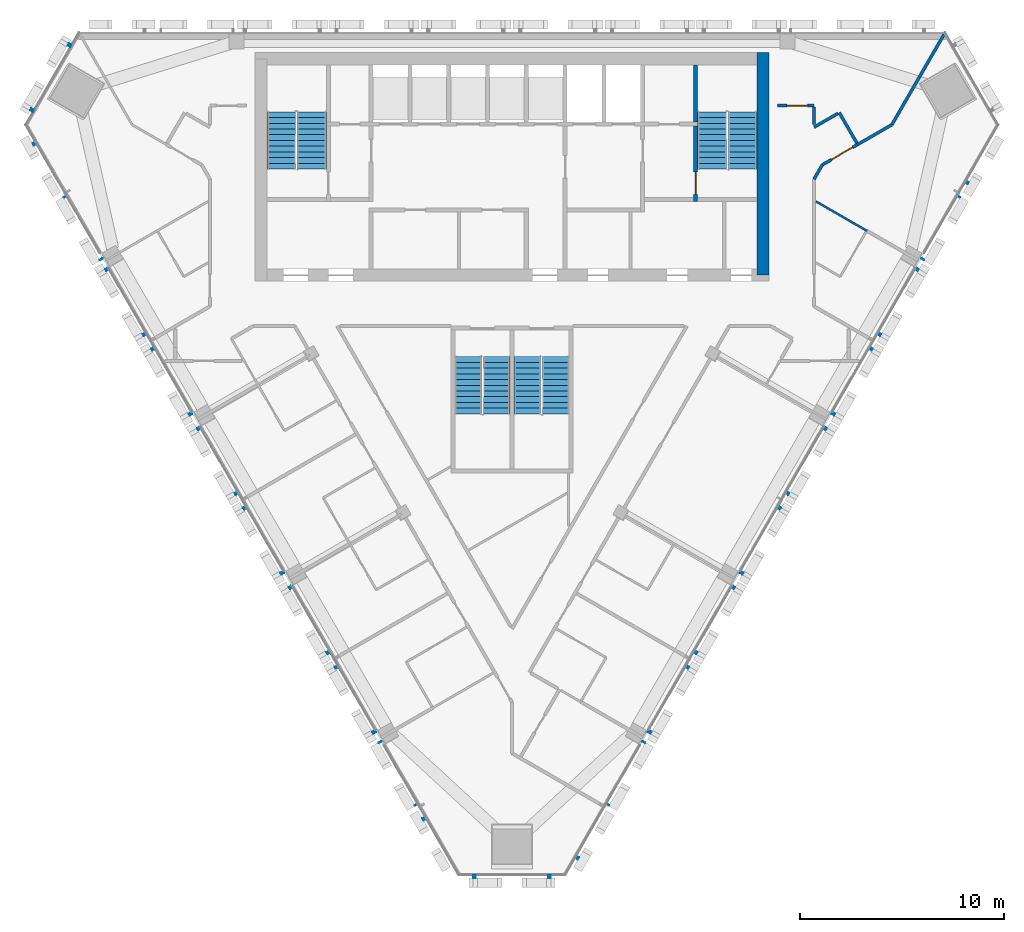
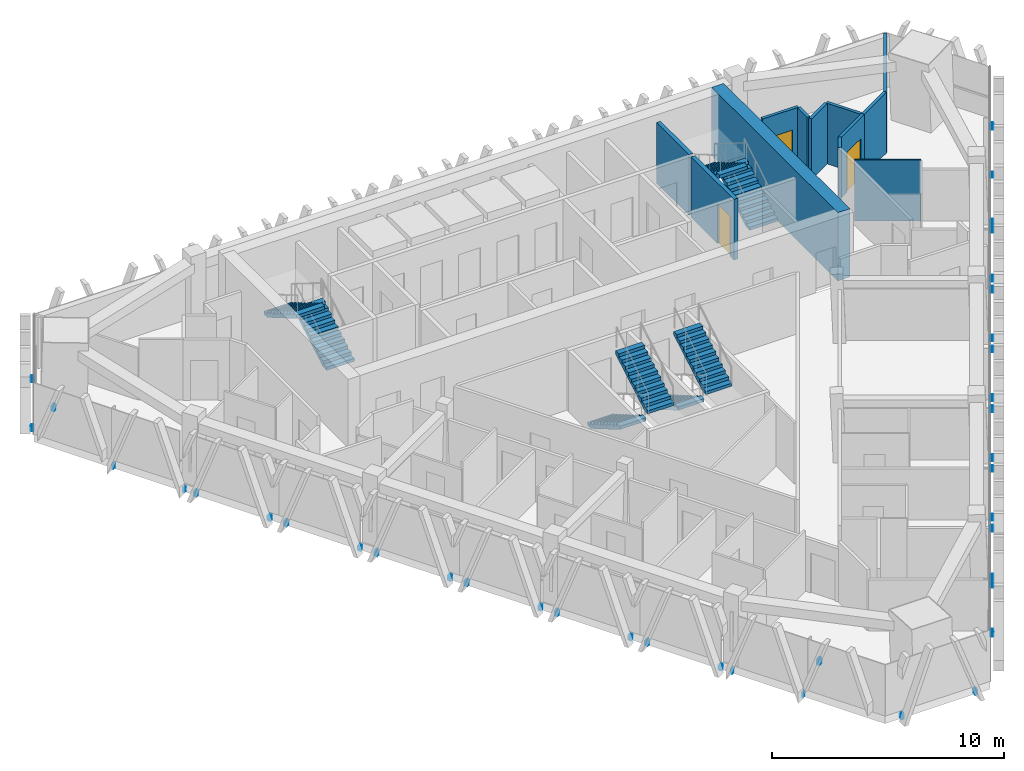
# One storey, part 11 of 15: 12 walls, 8 stair flights, 4 discrete accessories, 3 doors, 3 openings, 4 elements without a shape of their own.
"""IFC4 building model written with IfcOpenShell, lengths in metres."""

from ifc_helpers import new_model, si_unit, direction, frame, frame_2d, origin, place, context, subcontext, project, spatial, polyline, rectangle, outline, extrude, source, transform, mapped, material, layer, layer_set, type_object, element, fill, aggregate, save


model = new_model("IFC4")

# Units and contexts
model_context = context("Model", 3, precision=1e-05, world=origin(), true_north=direction((0.0, 1.0)))
body_context = subcontext(model_context, "Body", "Model", "MODEL_VIEW")
ifc_project = project(units=[si_unit("LENGTHUNIT", "METRE"), si_unit("AREAUNIT", "SQUARE_METRE"), si_unit("VOLUMEUNIT", "CUBIC_METRE"), si_unit("PLANEANGLEUNIT", "RADIAN"), si_unit("MASSUNIT", "GRAM", prefix="KILO")], contexts=[model_context])

# Site, building, storey
site_placement = place(None, origin())
site = spatial("IfcSite", under=ifc_project, at=site_placement, CompositionType="ELEMENT")
building_placement = place(site_placement, origin())
building = spatial("IfcBuilding", under=site, at=building_placement, Name="Altiplano Prism Tower", CompositionType="ELEMENT")
storey_placement = place(building_placement, frame((0.0, 0.0, 250.0)))
storey = spatial("IfcBuildingStorey", under=building, at=storey_placement, Name="L64", CompositionType="ELEMENT", Elevation=250.0)

# Walls
ifc_material_1 = material(Name="Concrete C60/75", Category="concrete")
ifc_layer_1 = layer(ifc_material_1, 0.60009765625)
ifc_layer_set_1 = layer_set([ifc_layer_1], Name="Concrete C60/75")
wall_type_1 = type_object("IfcWallType", Name="Core wall 600", PredefinedType="SHEAR", material=ifc_layer_set_1)
wall_1_placement = place(storey_placement, frame((97.300048828125, 93.10009765625, 0.0), z_axis=(0.0, 0.0, 1.0), x_axis=(0.0, 1.0, 0.0)))
element("IfcWall", 1, at=wall_1_placement, inside=storey, type_object=wall_type_1, Name="Core wall E L64", PredefinedType="SHEAR", context=body_context, shape_type="SweptSolid", body=[
    extrude(rectangle(XDim=10.89990234375, YDim=0.60009765625, at=frame_2d((5.449951171875, 0.0))), origin(), (0.0, 0.0, 1.0), 3.60009765625),
])
ifc_material_2 = material(Name="Plasterboard on steel stud", Category="steel")
ifc_layer_2 = layer(ifc_material_2, 0.10009765625)
ifc_layer_set_2 = layer_set([ifc_layer_2], Name="Plasterboard on steel stud")
wall_type_2 = type_object("IfcWallType", Name="Partition 100 wet", PredefinedType="PARTITIONING", material=ifc_layer_set_2)
wall_2_placement = place(storey_placement, frame((102.40087890625, 95.263427734375, 0.0), z_axis=(0.0, 0.0, 1.0), x_axis=(-0.866039173598, 0.499976149225, 0.0)))
element("IfcWall", 2, at=wall_2_placement, inside=storey, type_object=wall_type_2, Name="Partition P03 L64 076", PredefinedType="PARTITIONING", context=body_context, shape_type="SweptSolid", body=[
    extrude(rectangle(XDim=2.887939453125, YDim=0.10009765625, at=frame_2d((1.44384765625, 0.0))), origin(), (0.0, 0.0, 1.0), 3.199951171875),
])
ifc_layer_3 = layer(ifc_material_2, 0.14990234375)
ifc_layer_set_3 = layer_set([ifc_layer_3], Name="Plasterboard on steel stud")
wall_type_3 = type_object("IfcWallType", Name="Partition 150 corridor", PredefinedType="PARTITIONING", material=ifc_layer_set_3)
wall_3_placement = place(storey_placement, frame((99.800048828125, 97.798583984375, 0.0), z_axis=(0.0, 0.0, 1.0), x_axis=(0.499835541916, 0.866120332886, 0.0)))
element("IfcWall", 3, at=wall_3_placement, inside=storey, type_object=wall_type_3, Name="Partition P06 L64 027", PredefinedType="PARTITIONING", context=body_context, shape_type="SweptSolid", body=[
    extrude(rectangle(XDim=0.809814453125, YDim=0.14990234375, at=frame_2d((0.40478515625, 0.0))), origin(), (0.0, 0.0, 1.0), 3.199951171875),
])

# Wall, opening, door
wall_4_placement = place(storey_placement, frame((100.204833984375, 98.5, 0.0), z_axis=(0.0, 0.0, 1.0), x_axis=(0.866040685659, 0.499973530083, 0.0)))
wall_4 = element("IfcWall", 4, at=wall_4_placement, inside=storey, type_object=wall_type_3, Name="Partition P06 L64 028", PredefinedType="PARTITIONING", context=body_context, shape_type="SweptSolid", body=[
    extrude(rectangle(XDim=2.02001953125, YDim=0.14990234375, at=frame_2d((1.010009765625, 0.0))), origin(), (0.0, 0.0, 1.0), 3.199951171875),
])
opening_1_placement = place(wall_4_placement, frame((0.512939453125, 0.0, 0.0)))
opening_1 = element("IfcOpeningElement", 5, at=opening_1_placement, cuts=wall_4, Name="Opening D2108", PredefinedType="OPENING", context=body_context, shape_type="SweptSolid", body=[
    extrude(rectangle(XDim=1.199951171875, YDim=2.10009765625, at=frame_2d((0.60009765625, 1.050048828125))), frame((0.0, 0.08544921875, 0.0), z_axis=(0.0, -1.0, 0.0), x_axis=(1.0, 0.0, 0.0)), (0.0, 0.0, 1.0), 0.1708984375),
])
ifc_material_3 = material(Name="Timber", Category="wood")
door_type_1 = type_object("IfcDoorType", Name="Shared room door 1200 x 2100", OperationType="NOTDEFINED", PredefinedType="NOTDEFINED", material=ifc_material_3)
door_1_placement = place(opening_1_placement, origin())
door_1 = element("IfcDoor", 6, at=door_1_placement, inside=storey, type_object=door_type_1, Name="Door D2108", OperationType="SINGLE_SWING_LEFT", OverallHeight=2.10009765625, OverallWidth=1.199951171875, PredefinedType="NOTDEFINED", context=body_context, shape_type="SweptSolid", body=[
    extrude(rectangle(XDim=1.199951171875, YDim=2.10009765625, at=frame_2d((0.60009765625, 1.050048828125))), frame((0.0, 0.02490234375, 0.0), z_axis=(0.0, -1.0, 0.0), x_axis=(1.0, 0.0, 0.0)), (0.0, 0.0, 1.0), 0.050048828125),
])
fill(opening_1, door_1)

# Walls
wall_5_placement = place(storey_placement, frame((101.900390625, 99.5654296875, 0.0), z_axis=(0.0, 0.0, 1.0), x_axis=(-0.500110239729, 0.865961747491, 0.0)))
element("IfcWall", 7, at=wall_5_placement, inside=storey, type_object=wall_type_3, Name="Partition P06 L64 033", PredefinedType="PARTITIONING", context=body_context, shape_type="SweptSolid", body=[
    extrude(rectangle(XDim=1.7255859375, YDim=0.14990234375, at=frame_2d((0.86279296875, 0.0))), origin(), (0.0, 0.0, 1.0), 3.199951171875),
])
wall_6_placement = place(storey_placement, frame((100.972412109375, 101.022216796875, 0.0), z_axis=(0.0, 0.0, 1.0), x_axis=(-0.866191597034, -0.499712034304, 0.0)))
element("IfcWall", 8, at=wall_6_placement, inside=storey, type_object=wall_type_3, Name="Partition P06 L64 034", PredefinedType="PARTITIONING", context=body_context, shape_type="SweptSolid", body=[
    extrude(rectangle(XDim=1.352294921875, YDim=0.14990234375, at=frame_2d((0.67626953125, 0.0))), origin(), (0.0, 0.0, 1.0), 3.199951171875),
])
wall_7_placement = place(storey_placement, frame((99.801025390625, 100.476318359375, 0.0), z_axis=(0.0, 0.0, 1.0), x_axis=(-0.000574712549, 0.999999834853, 0.0)))
element("IfcWall", 9, at=wall_7_placement, inside=storey, type_object=wall_type_3, Name="Partition P06 L64 035", PredefinedType="PARTITIONING", context=body_context, shape_type="SweptSolid", body=[
    extrude(rectangle(XDim=0.849609375, YDim=0.14990234375, at=frame_2d((0.4248046875, 0.0))), origin(), (0.0, 0.0, 1.0), 3.199951171875),
])

# Wall, opening, door
wall_8_placement = place(storey_placement, frame((99.800537109375, 101.40087890625, 0.0), z_axis=(0.0, 0.0, 1.0), x_axis=(-1.0, 0.0, 0.0)))
wall_8 = element("IfcWall", 10, at=wall_8_placement, inside=storey, type_object=wall_type_3, Name="Partition P06 L64 036", PredefinedType="PARTITIONING", context=body_context, shape_type="SweptSolid", body=[
    extrude(rectangle(XDim=1.800537109375, YDim=0.14990234375, at=frame_2d((0.900390625, 0.0))), origin(), (0.0, 0.0, 1.0), 3.199951171875),
])
opening_2_placement = place(wall_8_placement, frame((0.31689453125, 0.0, 0.0)))
opening_2 = element("IfcOpeningElement", 11, at=opening_2_placement, cuts=wall_8, Name="Opening D2110", PredefinedType="OPENING", context=body_context, shape_type="SweptSolid", body=[
    extrude(rectangle(XDim=1.0, YDim=2.10009765625, at=frame_2d((0.5, 1.050048828125))), frame((0.0, 0.08544921875, 0.0), z_axis=(0.0, -1.0, 0.0), x_axis=(1.0, 0.0, 0.0)), (0.0, 0.0, 1.0), 0.1708984375),
])
door_type_2 = type_object("IfcDoorType", Name="Room door 1000 x 2100", OperationType="NOTDEFINED", PredefinedType="NOTDEFINED", material=ifc_material_3)
door_2_placement = place(opening_2_placement, origin())
door_2 = element("IfcDoor", 12, at=door_2_placement, inside=storey, type_object=door_type_2, Name="Door D2110", OperationType="SINGLE_SWING_LEFT", OverallHeight=2.10009765625, OverallWidth=1.0, PredefinedType="NOTDEFINED", context=body_context, shape_type="SweptSolid", body=[
    extrude(rectangle(XDim=1.0, YDim=2.10009765625, at=frame_2d((0.5, 1.050048828125))), frame((0.0, 0.02490234375, 0.0), z_axis=(0.0, -1.0, 0.0), x_axis=(1.0, 0.0, 0.0)), (0.0, 0.0, 1.0), 0.050048828125),
])
fill(opening_2, door_2)

# Walls
ifc_layer_4 = layer(ifc_material_2, 0.14990234375)
ifc_layer_set_4 = layer_set([ifc_layer_4], Name="Plasterboard on steel stud")
wall_type_4 = type_object("IfcWallType", Name="Partition 150 party", PredefinedType="PARTITIONING", material=ifc_layer_set_4)
wall_9_placement = place(storey_placement, frame((106.17333984375, 104.89990234375, 0.0), z_axis=(0.0, 0.0, 1.0), x_axis=(-0.500003314297, -0.866023490266, 0.0)))
element("IfcWall", 13, at=wall_9_placement, inside=storey, type_object=wall_type_4, Name="Partition P01 L64 077", PredefinedType="PARTITIONING", context=body_context, shape_type="SweptSolid", body=[
    extrude(rectangle(XDim=5.11669921875, YDim=0.14990234375, at=frame_2d((2.558349609375, 0.0))), origin(), (0.0, 0.0, 1.0), 2.699951171875),
])
wall_10_placement = place(storey_placement, frame((103.614990234375, 100.46875, 0.0), z_axis=(0.0, 0.0, 1.0), x_axis=(-0.866047038303, -0.499962526042, 0.0)))
element("IfcWall", 14, at=wall_10_placement, inside=storey, type_object=wall_type_4, Name="Partition P01 L64 078", PredefinedType="PARTITIONING", context=body_context, shape_type="SweptSolid", body=[
    extrude(rectangle(XDim=1.936767578125, YDim=0.14990234375, at=frame_2d((0.96826171875, 0.0))), origin(), (0.0, 0.0, 1.0), 3.199951171875),
])

# Wall, opening, door
ifc_layer_5 = layer(ifc_material_1, 0.199951171875)
ifc_layer_set_5 = layer_set([ifc_layer_5], Name="Concrete C60/75")
wall_type_5 = type_object("IfcWallType", Name="Stair wall 200", PredefinedType="SOLIDWALL", material=ifc_layer_set_5)
wall_11_placement = place(storey_placement, frame((94.0, 96.699951171875, 0.0), z_axis=(0.0, 0.0, 1.0), x_axis=(0.0, 1.0, 0.0)))
wall_11 = element("IfcWall", 15, at=wall_11_placement, inside=storey, type_object=wall_type_5, Name="Stair wall L64", PredefinedType="SOLIDWALL", context=body_context, shape_type="SweptSolid", body=[
    extrude(rectangle(XDim=3.699951171875, YDim=0.199951171875, at=frame_2d((1.85009765625, 0.0))), origin(), (0.0, 0.0, 1.0), 3.199951171875),
])
opening_3_placement = place(wall_11_placement, frame((0.35009765625, 0.0, 0.0)))
opening_3 = element("IfcOpeningElement", 16, at=opening_3_placement, cuts=wall_11, Name="Opening D3473", PredefinedType="OPENING", context=body_context, shape_type="SweptSolid", body=[
    extrude(rectangle(XDim=1.10009765625, YDim=2.10009765625, at=frame_2d((0.550048828125, 1.050048828125))), frame((0.0, 0.1103515625, 0.0), z_axis=(0.0, -1.0, 0.0), x_axis=(1.0, 0.0, 0.0)), (0.0, 0.0, 1.0), 0.220947265625),
])
ifc_material_4 = material(Name="Fire-rated steel door", Category="steel")
door_type_3 = type_object("IfcDoorType", Name="Stair fire door 1100 x 2100", OperationType="NOTDEFINED", PredefinedType="NOTDEFINED", material=ifc_material_4)
door_3_placement = place(opening_3_placement, origin())
door_3 = element("IfcDoor", 17, at=door_3_placement, inside=storey, type_object=door_type_3, Name="Stair fire door D3473", OperationType="SINGLE_SWING_LEFT", OverallHeight=2.10009765625, OverallWidth=1.10009765625, PredefinedType="NOTDEFINED", context=body_context, shape_type="SweptSolid", body=[
    extrude(rectangle(XDim=1.10009765625, YDim=2.10009765625, at=frame_2d((0.550048828125, 1.050048828125))), frame((0.0, 0.02490234375, 0.0), z_axis=(0.0, -1.0, 0.0), x_axis=(1.0, 0.0, 0.0)), (0.0, 0.0, 1.0), 0.050048828125),
])
fill(opening_3, door_3)

# Wall
wall_12_placement = place(storey_placement, frame((94.0, 100.60009765625, 0.0), z_axis=(0.0, 0.0, 1.0), x_axis=(0.0, 1.0, 0.0)))
element("IfcWall", 18, at=wall_12_placement, inside=storey, type_object=wall_type_5, Name="Stair wall L64", PredefinedType="SOLIDWALL", context=body_context, shape_type="SweptSolid", body=[
    extrude(rectangle(XDim=2.7998046875, YDim=0.199951171875, at=frame_2d((1.39990234375, 0.0))), origin(), (0.0, 0.0, 1.0), 3.199951171875),
])

# Stair, stair flights
ifc_material_5 = material(Name="Concrete C40/50", Category="concrete")
stair_type_1 = type_object("IfcStairType", Name="Exit stair 1400", PredefinedType="HALF_TURN_STAIR", material=ifc_material_5)
stair_1_placement = place(storey_placement, origin())
stair_1 = element("IfcStair", 19, at=stair_1_placement, inside=storey, type_object=stair_type_1, Name="L64 Exit Stair 1", PredefinedType="HALF_TURN_STAIR")
stair_flight_type = type_object("IfcStairFlightType", Name="Stair flight concrete 150", PredefinedType="STRAIGHT", material=ifc_material_5)
stair_flight_1_placement = place(storey_placement, frame((75.199951171875, 98.300048828125, 0.0), z_axis=(0.0, 0.0, 1.0), x_axis=(0.0, 1.0, 0.0)))
stair_flight_1 = element("IfcStairFlight", 20, at=stair_flight_1_placement, type_object=stair_flight_type, Name="ST1 flight 1", NumberOfRisers=11, NumberOfTreads=10, PredefinedType="STRAIGHT", RiserHeight=0.163636364, TreadLength=0.28, context=body_context, shape_type="SweptSolid", body=[
    extrude(outline(polyline([(0.0, 0.0), (0.0, 0.16357421875), (0.280029296875, 0.16357421875), (0.280029296875, 0.327392578125), (0.56005859375, 0.327392578125), (0.56005859375, 0.490966796875), (0.840087890625, 0.490966796875), (0.840087890625, 0.654541015625), (1.1201171875, 0.654541015625), (1.1201171875, 0.818115234375), (1.39990234375, 0.818115234375), (1.39990234375, 0.98193359375), (1.679931640625, 0.98193359375), (1.679931640625, 1.1455078125), (1.9599609375, 1.1455078125), (1.9599609375, 1.30908203125), (2.239990234375, 1.30908203125), (2.239990234375, 1.47265625), (2.52001953125, 1.47265625), (2.52001953125, 1.636474609375), (2.800048828125, 1.636474609375), (2.800048828125, 1.800048828125), (2.800048828125, 1.462646484375), (0.297119140625, 0.0), (0.0, 0.0)])), frame((0.0, 0.699951171875, 0.0), z_axis=(0.0, -1.0, 0.0), x_axis=(1.0, 0.0, 0.0)), (0.0, 0.0, 1.0), 1.39990234375),
])
stair_flight_2_placement = place(storey_placement, frame((73.699951171875, 101.10009765625, 1.800048828125), z_axis=(0.0, 0.0, 1.0), x_axis=(0.0, -1.0, 0.0)))
stair_flight_2 = element("IfcStairFlight", 21, at=stair_flight_2_placement, type_object=stair_flight_type, Name="ST1 flight 2", NumberOfRisers=11, NumberOfTreads=10, PredefinedType="STRAIGHT", RiserHeight=0.163636364, TreadLength=0.28, context=body_context, shape_type="SweptSolid", body=[
    extrude(outline(polyline([(0.0, 0.0), (0.0, 0.16357421875), (0.280029296875, 0.16357421875), (0.280029296875, 0.327392578125), (0.56005859375, 0.327392578125), (0.56005859375, 0.490966796875), (0.840087890625, 0.490966796875), (0.840087890625, 0.654541015625), (1.1201171875, 0.654541015625), (1.1201171875, 0.818115234375), (1.39990234375, 0.818115234375), (1.39990234375, 0.98193359375), (1.679931640625, 0.98193359375), (1.679931640625, 1.1455078125), (1.9599609375, 1.1455078125), (1.9599609375, 1.30908203125), (2.239990234375, 1.30908203125), (2.239990234375, 1.47265625), (2.52001953125, 1.47265625), (2.52001953125, 1.636474609375), (2.800048828125, 1.636474609375), (2.800048828125, 1.800048828125), (2.800048828125, 1.462646484375), (0.297119140625, 0.0), (0.0, 0.0)])), frame((0.0, 0.699951171875, 0.0), z_axis=(0.0, -1.0, 0.0), x_axis=(1.0, 0.0, 0.0)), (0.0, 0.0, 1.0), 1.39990234375),
])
aggregate(stair_1, [stair_flight_1, stair_flight_2])

stair_2_placement = place(storey_placement, origin())
stair_2 = element("IfcStair", 22, at=stair_2_placement, inside=storey, type_object=stair_type_1, Name="L64 Exit Stair 2", PredefinedType="HALF_TURN_STAIR")
stair_flight_3_placement = place(storey_placement, frame((96.300048828125, 98.300048828125, 0.0), z_axis=(0.0, 0.0, 1.0), x_axis=(0.0, 1.0, 0.0)))
stair_flight_3 = element("IfcStairFlight", 23, at=stair_flight_3_placement, type_object=stair_flight_type, Name="ST2 flight 1", NumberOfRisers=11, NumberOfTreads=10, PredefinedType="STRAIGHT", RiserHeight=0.163636364, TreadLength=0.28, context=body_context, shape_type="SweptSolid", body=[
    extrude(outline(polyline([(0.0, 0.0), (0.0, 0.16357421875), (0.280029296875, 0.16357421875), (0.280029296875, 0.327392578125), (0.56005859375, 0.327392578125), (0.56005859375, 0.490966796875), (0.840087890625, 0.490966796875), (0.840087890625, 0.654541015625), (1.1201171875, 0.654541015625), (1.1201171875, 0.818115234375), (1.39990234375, 0.818115234375), (1.39990234375, 0.98193359375), (1.679931640625, 0.98193359375), (1.679931640625, 1.1455078125), (1.9599609375, 1.1455078125), (1.9599609375, 1.30908203125), (2.239990234375, 1.30908203125), (2.239990234375, 1.47265625), (2.52001953125, 1.47265625), (2.52001953125, 1.636474609375), (2.800048828125, 1.636474609375), (2.800048828125, 1.800048828125), (2.800048828125, 1.462646484375), (0.297119140625, 0.0), (0.0, 0.0)])), frame((0.0, 0.699951171875, 0.0), z_axis=(0.0, -1.0, 0.0), x_axis=(1.0, 0.0, 0.0)), (0.0, 0.0, 1.0), 1.39990234375),
])
stair_flight_4_placement = place(storey_placement, frame((94.800048828125, 101.10009765625, 1.800048828125), z_axis=(0.0, 0.0, 1.0), x_axis=(0.0, -1.0, 0.0)))
stair_flight_4 = element("IfcStairFlight", 24, at=stair_flight_4_placement, type_object=stair_flight_type, Name="ST2 flight 2", NumberOfRisers=11, NumberOfTreads=10, PredefinedType="STRAIGHT", RiserHeight=0.163636364, TreadLength=0.28, context=body_context, shape_type="SweptSolid", body=[
    extrude(outline(polyline([(0.0, 0.0), (0.0, 0.16357421875), (0.280029296875, 0.16357421875), (0.280029296875, 0.327392578125), (0.56005859375, 0.327392578125), (0.56005859375, 0.490966796875), (0.840087890625, 0.490966796875), (0.840087890625, 0.654541015625), (1.1201171875, 0.654541015625), (1.1201171875, 0.818115234375), (1.39990234375, 0.818115234375), (1.39990234375, 0.98193359375), (1.679931640625, 0.98193359375), (1.679931640625, 1.1455078125), (1.9599609375, 1.1455078125), (1.9599609375, 1.30908203125), (2.239990234375, 1.30908203125), (2.239990234375, 1.47265625), (2.52001953125, 1.47265625), (2.52001953125, 1.636474609375), (2.800048828125, 1.636474609375), (2.800048828125, 1.800048828125), (2.800048828125, 1.462646484375), (0.297119140625, 0.0), (0.0, 0.0)])), frame((0.0, 0.699951171875, 0.0), z_axis=(0.0, -1.0, 0.0), x_axis=(1.0, 0.0, 0.0)), (0.0, 0.0, 1.0), 1.39990234375),
])
aggregate(stair_2, [stair_flight_3, stair_flight_4])

stair_type_2 = type_object("IfcStairType", Name="Exit stair 1300", PredefinedType="HALF_TURN_STAIR", material=ifc_material_5)
stair_3_placement = place(storey_placement, origin())
stair_3 = element("IfcStair", 25, at=stair_3_placement, inside=storey, type_object=stair_type_2, Name="L64 Exit Stair 3A", PredefinedType="HALF_TURN_STAIR")
stair_flight_5_placement = place(storey_placement, frame((82.85009765625, 89.10009765625, 0.0), z_axis=(0.0, 0.0, 1.0), x_axis=(0.0, -1.0, 0.0)))
stair_flight_5 = element("IfcStairFlight", 26, at=stair_flight_5_placement, type_object=stair_flight_type, Name="ST3A flight 1", NumberOfRisers=11, NumberOfTreads=10, PredefinedType="STRAIGHT", RiserHeight=0.163636364, TreadLength=0.28, context=body_context, shape_type="SweptSolid", body=[
    extrude(outline(polyline([(0.0, 0.0), (0.0, 0.16357421875), (0.280029296875, 0.16357421875), (0.280029296875, 0.327392578125), (0.56005859375, 0.327392578125), (0.56005859375, 0.490966796875), (0.840087890625, 0.490966796875), (0.840087890625, 0.654541015625), (1.1201171875, 0.654541015625), (1.1201171875, 0.818115234375), (1.39990234375, 0.818115234375), (1.39990234375, 0.98193359375), (1.679931640625, 0.98193359375), (1.679931640625, 1.1455078125), (1.9599609375, 1.1455078125), (1.9599609375, 1.30908203125), (2.239990234375, 1.30908203125), (2.239990234375, 1.47265625), (2.52001953125, 1.47265625), (2.52001953125, 1.636474609375), (2.800048828125, 1.636474609375), (2.800048828125, 1.800048828125), (2.800048828125, 1.462646484375), (0.297119140625, 0.0), (0.0, 0.0)])), frame((0.0, 0.64990234375, 0.0), z_axis=(0.0, -1.0, 0.0), x_axis=(1.0, 0.0, 0.0)), (0.0, 0.0, 1.0), 1.300048828125),
])
stair_flight_6_placement = place(storey_placement, frame((84.25, 86.300048828125, 1.800048828125), z_axis=(0.0, 0.0, 1.0), x_axis=(0.0, 1.0, 0.0)))
stair_flight_6 = element("IfcStairFlight", 27, at=stair_flight_6_placement, type_object=stair_flight_type, Name="ST3A flight 2", NumberOfRisers=11, NumberOfTreads=10, PredefinedType="STRAIGHT", RiserHeight=0.163636364, TreadLength=0.28, context=body_context, shape_type="SweptSolid", body=[
    extrude(outline(polyline([(0.0, 0.0), (0.0, 0.16357421875), (0.280029296875, 0.16357421875), (0.280029296875, 0.327392578125), (0.56005859375, 0.327392578125), (0.56005859375, 0.490966796875), (0.840087890625, 0.490966796875), (0.840087890625, 0.654541015625), (1.1201171875, 0.654541015625), (1.1201171875, 0.818115234375), (1.39990234375, 0.818115234375), (1.39990234375, 0.98193359375), (1.679931640625, 0.98193359375), (1.679931640625, 1.1455078125), (1.9599609375, 1.1455078125), (1.9599609375, 1.30908203125), (2.239990234375, 1.30908203125), (2.239990234375, 1.47265625), (2.52001953125, 1.47265625), (2.52001953125, 1.636474609375), (2.800048828125, 1.636474609375), (2.800048828125, 1.800048828125), (2.800048828125, 1.462646484375), (0.297119140625, 0.0), (0.0, 0.0)])), frame((0.0, 0.64990234375, 0.0), z_axis=(0.0, -1.0, 0.0), x_axis=(1.0, 0.0, 0.0)), (0.0, 0.0, 1.0), 1.300048828125),
])
aggregate(stair_3, [stair_flight_5, stair_flight_6])

stair_4_placement = place(storey_placement, origin())
stair_4 = element("IfcStair", 28, at=stair_4_placement, inside=storey, type_object=stair_type_2, Name="L64 Exit Stair 3B", PredefinedType="HALF_TURN_STAIR")
stair_flight_7_placement = place(storey_placement, frame((85.75, 89.10009765625, 0.0), z_axis=(0.0, 0.0, 1.0), x_axis=(0.0, -1.0, 0.0)))
stair_flight_7 = element("IfcStairFlight", 29, at=stair_flight_7_placement, type_object=stair_flight_type, Name="ST3B flight 1", NumberOfRisers=11, NumberOfTreads=10, PredefinedType="STRAIGHT", RiserHeight=0.163636364, TreadLength=0.28, context=body_context, shape_type="SweptSolid", body=[
    extrude(outline(polyline([(0.0, 0.0), (0.0, 0.16357421875), (0.280029296875, 0.16357421875), (0.280029296875, 0.327392578125), (0.56005859375, 0.327392578125), (0.56005859375, 0.490966796875), (0.840087890625, 0.490966796875), (0.840087890625, 0.654541015625), (1.1201171875, 0.654541015625), (1.1201171875, 0.818115234375), (1.39990234375, 0.818115234375), (1.39990234375, 0.98193359375), (1.679931640625, 0.98193359375), (1.679931640625, 1.1455078125), (1.9599609375, 1.1455078125), (1.9599609375, 1.30908203125), (2.239990234375, 1.30908203125), (2.239990234375, 1.47265625), (2.52001953125, 1.47265625), (2.52001953125, 1.636474609375), (2.800048828125, 1.636474609375), (2.800048828125, 1.800048828125), (2.800048828125, 1.462646484375), (0.297119140625, 0.0), (0.0, 0.0)])), frame((0.0, 0.64990234375, 0.0), z_axis=(0.0, -1.0, 0.0), x_axis=(1.0, 0.0, 0.0)), (0.0, 0.0, 1.0), 1.300048828125),
])
stair_flight_8_placement = place(storey_placement, frame((87.14990234375, 86.300048828125, 1.800048828125), z_axis=(0.0, 0.0, 1.0), x_axis=(0.0, 1.0, 0.0)))
stair_flight_8 = element("IfcStairFlight", 30, at=stair_flight_8_placement, type_object=stair_flight_type, Name="ST3B flight 2", NumberOfRisers=11, NumberOfTreads=10, PredefinedType="STRAIGHT", RiserHeight=0.163636364, TreadLength=0.28, context=body_context, shape_type="SweptSolid", body=[
    extrude(outline(polyline([(0.0, 0.0), (0.0, 0.16357421875), (0.280029296875, 0.16357421875), (0.280029296875, 0.327392578125), (0.56005859375, 0.327392578125), (0.56005859375, 0.490966796875), (0.840087890625, 0.490966796875), (0.840087890625, 0.654541015625), (1.1201171875, 0.654541015625), (1.1201171875, 0.818115234375), (1.39990234375, 0.818115234375), (1.39990234375, 0.98193359375), (1.679931640625, 0.98193359375), (1.679931640625, 1.1455078125), (1.9599609375, 1.1455078125), (1.9599609375, 1.30908203125), (2.239990234375, 1.30908203125), (2.239990234375, 1.47265625), (2.52001953125, 1.47265625), (2.52001953125, 1.636474609375), (2.800048828125, 1.636474609375), (2.800048828125, 1.800048828125), (2.800048828125, 1.462646484375), (0.297119140625, 0.0), (0.0, 0.0)])), frame((0.0, 0.64990234375, 0.0), z_axis=(0.0, -1.0, 0.0), x_axis=(1.0, 0.0, 0.0)), (0.0, 0.0, 1.0), 1.300048828125),
])
aggregate(stair_4, [stair_flight_7, stair_flight_8])

# Discrete accessories
ifc_material_6 = material(Name="Stainless steel", Category="steel")
discrete_accessory_type = type_object("IfcDiscreteAccessoryType", Name="Stone fin fixing prongs", PredefinedType="USERDEFINED", material=ifc_material_6)
shared_shape_1 = source(origin(), body_context, "Body", "SweptSolid", [
    extrude(outline(polyline([(-1.16162109375, 2.07177734375), (-1.041748046875, 2.07177734375), (-1.041748046875, 2.37158203125), (-1.16162109375, 2.37158203125), (-1.16162109375, 2.07177734375)])), frame((0.0, 0.0, 0.0), z_axis=(0.0, -1.0, 0.0), x_axis=(1.0, 0.0, 0.0)), (0.0, 0.0, 1.0), 0.14990234375),
])
shared_shape_2 = source(origin(), body_context, "Body", "SweptSolid", [
    extrude(outline(polyline([(-1.7900390625, 0.06005859375), (-1.74755859375, 0.06005859375), (-1.74755859375, 0.340087890625), (-1.7900390625, 0.340087890625), (-1.7900390625, 0.06005859375)])), frame((0.0, 0.0, 0.0), z_axis=(0.0, -1.0, 0.0), x_axis=(1.0, 0.0, 0.0)), (0.0, 0.0, 1.0), 0.14990234375),
    extrude(outline(polyline([(1.74755859375, 0.06005859375), (1.7900390625, 0.06005859375), (1.7900390625, 0.340087890625), (1.74755859375, 0.340087890625), (1.74755859375, 0.06005859375)])), frame((0.0, 0.0, 0.0), z_axis=(0.0, -1.0, 0.0), x_axis=(1.0, 0.0, 0.0)), (0.0, 0.0, 1.0), 0.14990234375),
])
shared_shape_3 = source(origin(), body_context, "Body", "SweptSolid", [
    extrude(outline(polyline([(-1.8974609375, 0.06005859375), (-1.777587890625, 0.06005859375), (-1.777587890625, 0.340087890625), (-1.8974609375, 0.340087890625), (-1.8974609375, 0.06005859375)])), frame((0.0, 0.0, 0.0), z_axis=(0.0, -1.0, 0.0), x_axis=(1.0, 0.0, 0.0)), (0.0, 0.0, 1.0), 0.14990234375),
    extrude(outline(polyline([(1.777587890625, 0.06005859375), (1.8974609375, 0.06005859375), (1.8974609375, 0.340087890625), (1.777587890625, 0.340087890625), (1.777587890625, 0.06005859375)])), frame((0.0, 0.0, 0.0), z_axis=(0.0, -1.0, 0.0), x_axis=(1.0, 0.0, 0.0)), (0.0, 0.0, 1.0), 0.14990234375),
])
discrete_accessory_1_placement = place(storey_placement, origin())
element("IfcDiscreteAccessory", 31, at=discrete_accessory_1_placement, inside=storey, type_object=discrete_accessory_type, Name="Fin fixings L64 south-west face", ObjectType="BRACKET", PredefinedType="USERDEFINED", context=body_context, shape_type="MappedRepresentation", body=[
    mapped(shared_shape_1, transform((62.21923828125, 98.621826171875, -0.39990234375), x_axis=(0.499999999907, -0.866025403838, 0.0), y_axis=(0.866025403838, 0.499999999907, 0.0), z_axis=(0.0, 0.0, 1.0))),
    mapped(shared_shape_2, transform((64.052001953125, 95.447265625, -0.39990234375), x_axis=(0.499999999907, -0.866025403838, 0.0), y_axis=(0.866025403838, 0.499999999907, 0.0), z_axis=(0.0, 0.0, 1.0))),
    mapped(shared_shape_3, transform((66.143310546875, 91.824951171875, -0.39990234375), x_axis=(0.499999999907, -0.866025403838, 0.0), y_axis=(0.866025403838, 0.499999999907, 0.0), z_axis=(0.0, 0.0, 1.0))),
    mapped(shared_shape_3, transform((68.393310546875, 87.927734375, -0.39990234375), x_axis=(0.499999999907, -0.866025403838, 0.0), y_axis=(0.866025403838, 0.499999999907, 0.0), z_axis=(0.0, 0.0, 1.0))),
    mapped(shared_shape_3, transform((70.643310546875, 84.03076171875, -0.39990234375), x_axis=(0.499999999907, -0.866025403838, 0.0), y_axis=(0.866025403838, 0.499999999907, 0.0), z_axis=(0.0, 0.0, 1.0))),
    mapped(shared_shape_3, transform((72.893310546875, 80.133544921875, -0.39990234375), x_axis=(0.499999999907, -0.866025403838, 0.0), y_axis=(0.866025403838, 0.499999999907, 0.0), z_axis=(0.0, 0.0, 1.0))),
    mapped(shared_shape_3, transform((75.143310546875, 76.236572265625, -0.39990234375), x_axis=(0.499999999907, -0.866025403838, 0.0), y_axis=(0.866025403838, 0.499999999907, 0.0), z_axis=(0.0, 0.0, 1.0))),
    mapped(shared_shape_3, transform((77.393310546875, 72.33935546875, -0.39990234375), x_axis=(0.499999999907, -0.866025403838, 0.0), y_axis=(0.866025403838, 0.499999999907, 0.0), z_axis=(0.0, 0.0, 1.0))),
    mapped(shared_shape_2, transform((79.48486328125, 68.717041015625, -0.39990234375), x_axis=(0.499999999907, -0.866025403838, 0.0), y_axis=(0.866025403838, 0.499999999907, 0.0), z_axis=(0.0, 0.0, 1.0))),
    mapped(shared_shape_1, transform((81.317626953125, 65.54248046875, -0.39990234375), x_axis=(0.499999999907, -0.866025403838, 0.0), y_axis=(0.866025403838, 0.499999999907, 0.0), z_axis=(0.0, 0.0, 1.0))),
])
discrete_accessory_2_placement = place(storey_placement, origin())
element("IfcDiscreteAccessory", 32, at=discrete_accessory_2_placement, inside=storey, type_object=discrete_accessory_type, Name="Fin fixings L64 south-east face", ObjectType="BRACKET", PredefinedType="USERDEFINED", context=body_context, shape_type="MappedRepresentation", body=[
    mapped(shared_shape_1, transform((88.682373046875, 65.54248046875, -0.39990234375), x_axis=(0.499999999907, 0.866025403838, 0.0), y_axis=(-0.866025403838, 0.499999999907, 0.0), z_axis=(0.0, 0.0, 1.0))),
    mapped(shared_shape_2, transform((90.51513671875, 68.717041015625, -0.39990234375), x_axis=(0.499999999907, 0.866025403838, 0.0), y_axis=(-0.866025403838, 0.499999999907, 0.0), z_axis=(0.0, 0.0, 1.0))),
    mapped(shared_shape_3, transform((92.606689453125, 72.33935546875, -0.39990234375), x_axis=(0.499999999907, 0.866025403838, 0.0), y_axis=(-0.866025403838, 0.499999999907, 0.0), z_axis=(0.0, 0.0, 1.0))),
    mapped(shared_shape_3, transform((94.856689453125, 76.236572265625, -0.39990234375), x_axis=(0.499999999907, 0.866025403838, 0.0), y_axis=(-0.866025403838, 0.499999999907, 0.0), z_axis=(0.0, 0.0, 1.0))),
    mapped(shared_shape_3, transform((97.106689453125, 80.133544921875, -0.39990234375), x_axis=(0.499999999907, 0.866025403838, 0.0), y_axis=(-0.866025403838, 0.499999999907, 0.0), z_axis=(0.0, 0.0, 1.0))),
    mapped(shared_shape_3, transform((99.356689453125, 84.03076171875, -0.39990234375), x_axis=(0.499999999907, 0.866025403838, 0.0), y_axis=(-0.866025403838, 0.499999999907, 0.0), z_axis=(0.0, 0.0, 1.0))),
    mapped(shared_shape_3, transform((101.606689453125, 87.927734375, -0.39990234375), x_axis=(0.499999999907, 0.866025403838, 0.0), y_axis=(-0.866025403838, 0.499999999907, 0.0), z_axis=(0.0, 0.0, 1.0))),
    mapped(shared_shape_3, transform((103.856689453125, 91.824951171875, -0.39990234375), x_axis=(0.499999999907, 0.866025403838, 0.0), y_axis=(-0.866025403838, 0.499999999907, 0.0), z_axis=(0.0, 0.0, 1.0))),
    mapped(shared_shape_2, transform((105.947998046875, 95.447265625, -0.39990234375), x_axis=(0.499999999907, 0.866025403838, 0.0), y_axis=(-0.866025403838, 0.499999999907, 0.0), z_axis=(0.0, 0.0, 1.0))),
    mapped(shared_shape_1, transform((107.78076171875, 98.621826171875, -0.39990234375), x_axis=(0.499999999907, 0.866025403838, 0.0), y_axis=(-0.866025403838, 0.499999999907, 0.0), z_axis=(0.0, 0.0, 1.0))),
])
shared_shape_4 = source(origin(), body_context, "Body", "SweptSolid", [
    extrude(outline(polyline([(-1.8974609375, 0.06005859375), (-1.777587890625, 0.06005859375), (-1.777587890625, 0.340087890625), (-1.8974609375, 0.340087890625), (-1.8974609375, 0.06005859375)])), frame((0.0, 0.0, 0.0), z_axis=(0.0, -1.0, 0.0), x_axis=(1.0, 0.0, 0.0)), (0.0, 0.0, 1.0), 0.14990234375),
    extrude(outline(polyline([(1.777587890625, 0.06005859375), (1.8974609375, 0.06005859375), (1.8974609375, 0.340087890625), (1.777587890625, 0.340087890625), (1.777587890625, 0.06005859375)])), frame((0.0, 0.0, 0.0), z_axis=(0.0, -1.0, 0.0), x_axis=(1.0, 0.0, 0.0)), (0.0, 0.0, 1.0), 0.14990234375),
])
discrete_accessory_3_placement = place(storey_placement, origin())
element("IfcDiscreteAccessory", 33, at=discrete_accessory_3_placement, inside=storey, type_object=discrete_accessory_type, Name="Fin fixings L64 north-west chamfer", ObjectType="BRACKET", PredefinedType="USERDEFINED", context=body_context, shape_type="MappedRepresentation", body=[
    mapped(shared_shape_4, transform((62.4609375, 102.734375, -0.39990234375), x_axis=(-0.50000001892, -0.866025392861, 0.0), y_axis=(0.866025392861, -0.50000001892, 0.0), z_axis=(0.0, 0.0, 1.0))),
])
discrete_accessory_4_placement = place(storey_placement, origin())
element("IfcDiscreteAccessory", 34, at=discrete_accessory_4_placement, inside=storey, type_object=discrete_accessory_type, Name="Fin fixings L64 south chamfer", ObjectType="BRACKET", PredefinedType="USERDEFINED", context=body_context, shape_type="MappedRepresentation", body=[
    mapped(shared_shape_4, transform((85.0, 63.695556640625, -0.39990234375), x_axis=(1.0, 0.0, 0.0), y_axis=(0.0, 1.0, 0.0), z_axis=(0.0, 0.0, 1.0))),
])

save(model, "model.ifc")
